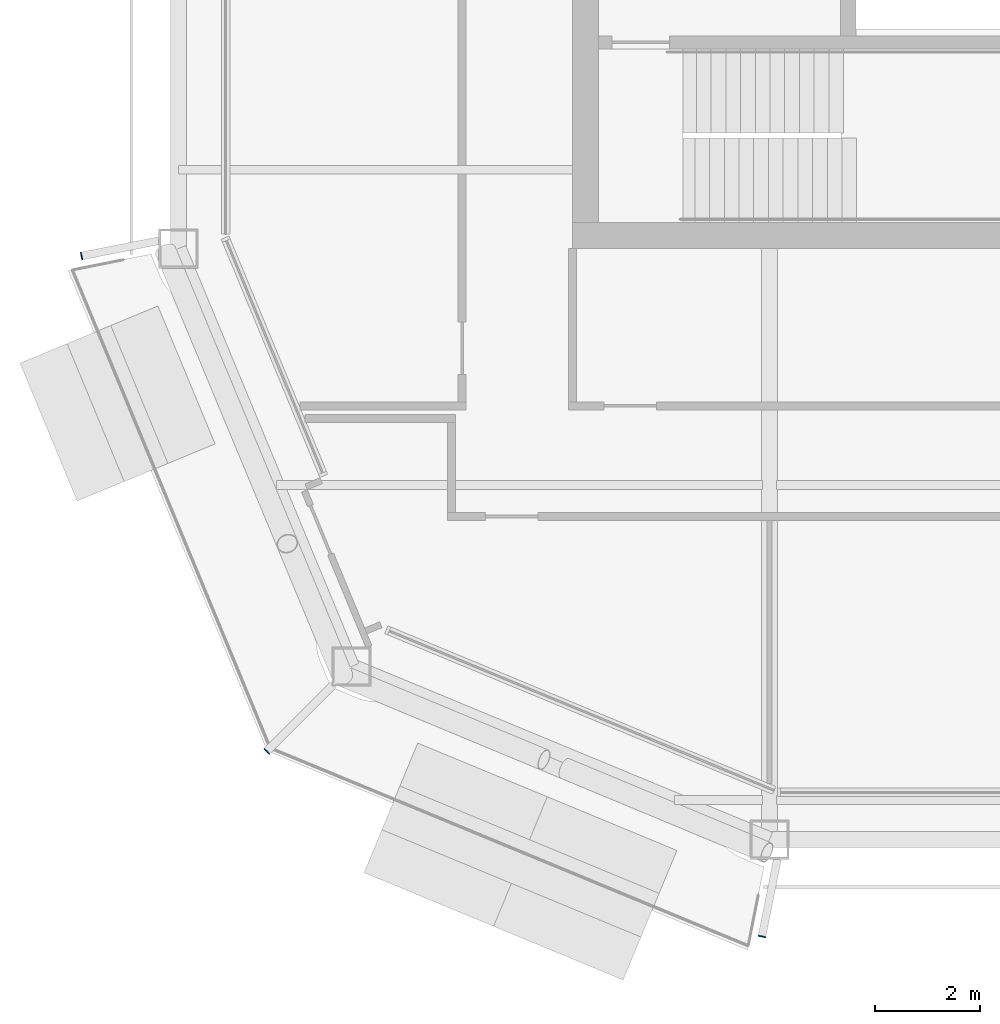
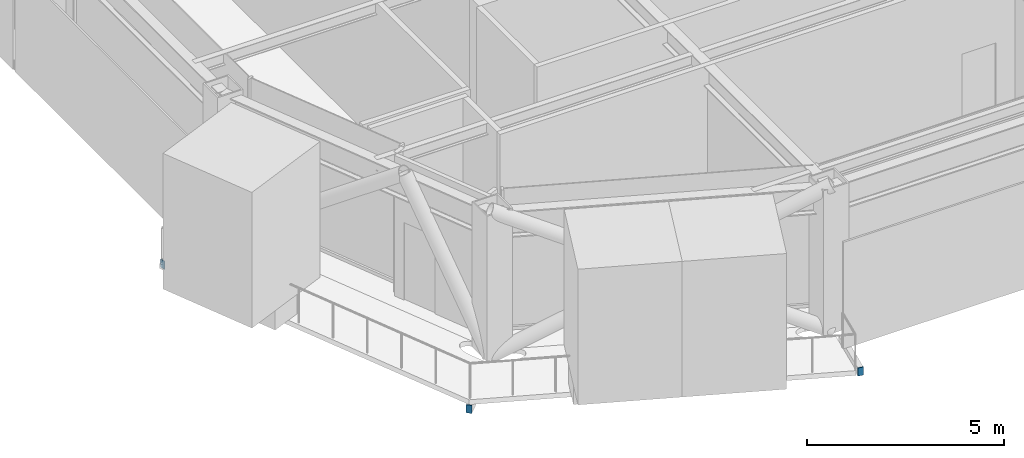
# One storey, part 14 of 20: 3 discrete accessories.
"""IFC4 building model written with IfcOpenShell, lengths in metres."""

from ifc_helpers import new_model, si_unit, direction, frame, origin, origin_2d, place, context, subcontext, project, spatial, rectangle, extrude, material, layer, layer_set, type_object, element, save


model = new_model("IFC4")

# Units and contexts
model_context = context("Model", 3, precision=1e-05, world=origin(), true_north=direction((0.0, 1.0)))
body_context = subcontext(model_context, "Body", "Model", "MODEL_VIEW")
ifc_project = project(units=[si_unit("LENGTHUNIT", "METRE"), si_unit("AREAUNIT", "SQUARE_METRE"), si_unit("VOLUMEUNIT", "CUBIC_METRE"), si_unit("PLANEANGLEUNIT", "RADIAN"), si_unit("MASSUNIT", "GRAM", prefix="KILO")], contexts=[model_context])

# Site, building, storey
site_placement = place(None, origin())
site = spatial("IfcSite", under=ifc_project, at=site_placement, CompositionType="ELEMENT")
building_placement = place(site_placement, origin())
building = spatial("IfcBuilding", under=site, at=building_placement, Name="Siwar Civic Tower", CompositionType="ELEMENT")
storey_placement = place(building_placement, frame((0.0, 0.0, 298.699951171875)))
storey = spatial("IfcBuildingStorey", under=building, at=storey_placement, Name="L64", CompositionType="ELEMENT", Elevation=298.699951171875)

# Discrete accessories
ifc_material = material(Name="Steel S355", Category="steel")
ifc_layer = layer(ifc_material, 0.02001953125)
ifc_layer_set = layer_set([ifc_layer], Name="Steel S355")
discrete_accessory_type = type_object("IfcDiscreteAccessoryType", Name="STR-END-CAP", PredefinedType="USERDEFINED", material=ifc_layer_set)
for number, where, z_axis, x_axis, name in (
    (1, (-26.5947265625, -13.642578125, -0.39990234375), (0.0, 0.0, 1.0), (-0.980785280373, -0.19509032217, 0.0), "End cap plate Balcony cantilever beam SW 1"),
    (2, (-23.0693359375, -23.0693359375, -0.39990234375), (0.0, 0.0, 1.0), (-0.707106781187, -0.707106781187, 0.0), "End cap plate Balcony cantilever beam SW 2"),
    (3, (-13.642578125, -26.5947265625, -0.39990234375), (0.0, 0.0, 1.0), (-0.19509032217, -0.980785280373, 0.0), "End cap plate Balcony cantilever beam SW 3"),
):
    element("IfcDiscreteAccessory", number, at=place(storey_placement, frame(where, z_axis=z_axis, x_axis=x_axis)), inside=storey, type_object=discrete_accessory_type, Name=name, ObjectType="END CAP PLATE", PredefinedType="USERDEFINED", context=body_context, shape_type="SweptSolid", body=[
        extrude(rectangle(XDim=0.02001953125, YDim=0.14990234375, at=origin_2d()), origin(), (0.0, 0.0, 1.0), 0.25),
    ])

save(model, "model.ifc")
